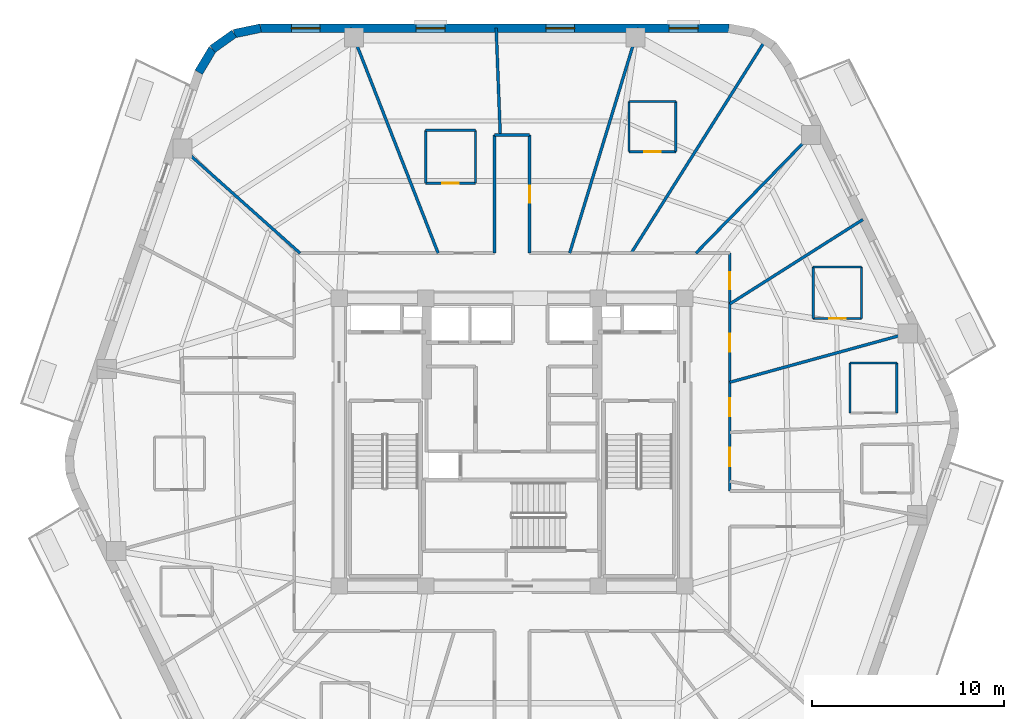
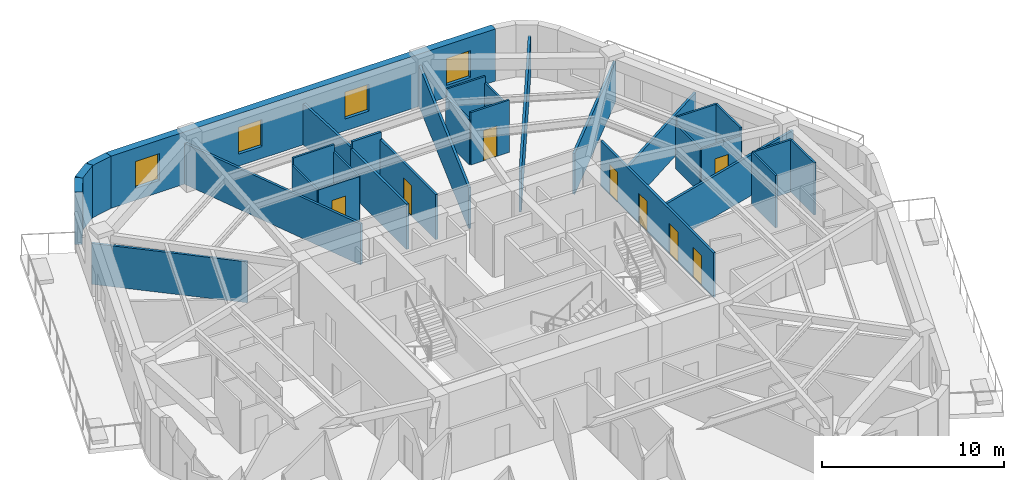
# One storey, part 6 of 10: 31 walls, 8 doors, 4 windows, 12 openings.
"""IFC4 building model written with IfcOpenShell, lengths in metres."""

from ifc_helpers import new_model, si_unit, direction, frame, frame_2d, origin, place, context, subcontext, project, spatial, rectangle, extrude, material, layer, layer_set, type_object, element, fill, save


model = new_model("IFC4")

# Units and contexts
model_context = context("Model", 3, precision=1e-05, world=origin(), true_north=direction((0.0, 1.0)))
body_context = subcontext(model_context, "Body", "Model", "MODEL_VIEW")
ifc_project = project(units=[si_unit("LENGTHUNIT", "METRE"), si_unit("AREAUNIT", "SQUARE_METRE"), si_unit("VOLUMEUNIT", "CUBIC_METRE"), si_unit("PLANEANGLEUNIT", "RADIAN"), si_unit("MASSUNIT", "GRAM", prefix="KILO")], contexts=[model_context])

# Site, building, storey
site_placement = place(None, origin())
site = spatial("IfcSite", under=ifc_project, at=site_placement, CompositionType="ELEMENT")
building_placement = place(site_placement, origin())
building = spatial("IfcBuilding", under=site, at=building_placement, Name="Kilnhurst Terrace Hotel", CompositionType="ELEMENT")
storey_placement = place(building_placement, frame((0.0, 0.0, 206.5)))
storey = spatial("IfcBuildingStorey", under=building, at=storey_placement, Name="L51", CompositionType="ELEMENT", Elevation=206.5)

# Walls
ifc_material_1 = material(Name="Precast concrete C40/50", Category="concrete")
ifc_layer_1 = layer(ifc_material_1, 0.449951171875, Name="Precast concrete C40/50")
ifc_layer_set_1 = layer_set([ifc_layer_1], Name="Precast concrete C40/50")
wall_type_1 = type_object("IfcWallType", Name="WL-BRK-450", PredefinedType="SOLIDWALL", material=ifc_layer_set_1)
wall_1_placement = place(storey_placement, frame((-13.1015625, 21.574951171875, 0.0), z_axis=(0.0, 0.0, 1.0), x_axis=(-0.978757421505, -0.205021730188, 0.0)))
element("IfcWall", 1, at=wall_1_placement, inside=storey, type_object=wall_type_1, Name="L51 Rounded Corner Brick Wall C5.1", PredefinedType="SOLIDWALL", context=body_context, shape_type="SweptSolid", body=[
    extrude(rectangle(XDim=1.40625, YDim=0.449951171875, at=frame_2d((0.703125, 0.0))), origin(), (0.0, 0.0, 1.0), 3.5),
])
wall_2_placement = place(storey_placement, frame((-14.47802734375, 21.28662109375, 0.0), z_axis=(0.0, 0.0, 1.0), x_axis=(-0.813888518617, -0.58102106611, 0.0)))
element("IfcWall", 2, at=wall_2_placement, inside=storey, type_object=wall_type_1, Name="L51 Rounded Corner Brick Wall C5.2", PredefinedType="SOLIDWALL", context=body_context, shape_type="SweptSolid", body=[
    extrude(rectangle(XDim=1.3828125, YDim=0.449951171875, at=frame_2d((0.69140625, 0.0))), origin(), (0.0, 0.0, 1.0), 3.5),
])
wall_3_placement = place(storey_placement, frame((-15.603515625, 20.483154296875, 0.0), z_axis=(0.0, 0.0, 1.0), x_axis=(-0.512222149036, -0.858852996756, 0.0)))
element("IfcWall", 3, at=wall_3_placement, inside=storey, type_object=wall_type_1, Name="L51 Rounded Corner Brick Wall C5.3", PredefinedType="SOLIDWALL", context=body_context, shape_type="SweptSolid", body=[
    extrude(rectangle(XDim=1.406494140625, YDim=0.449951171875, at=frame_2d((0.703125, 0.0))), origin(), (0.0, 0.0, 1.0), 3.5),
])

# Wall, openings, windows
wall_4_placement = place(storey_placement, frame((11.297607421875, 21.574951171875, 0.0), z_axis=(0.0, 0.0, 1.0), x_axis=(-1.0, 0.0, 0.0)))
wall_4 = element("IfcWall", 4, at=wall_4_placement, inside=storey, type_object=wall_type_1, Name="L51 Exterior Brick Facade Wall F4", PredefinedType="SOLIDWALL", context=body_context, shape_type="SweptSolid", body=[
    extrude(rectangle(XDim=24.399169921875, YDim=0.449951171875, at=frame_2d((12.19970703125, 0.0))), origin(), (0.0, 0.0, 1.0), 3.5),
])
opening_1_placement = place(wall_4_placement, frame((1.60400390625, 0.0, 0.800048828125)))
opening_1 = element("IfcOpeningElement", 5, at=opening_1_placement, cuts=wall_4, Name="Opening W-02", PredefinedType="OPENING", context=body_context, shape_type="SweptSolid", body=[
    extrude(rectangle(XDim=1.5, YDim=1.800048828125, at=frame_2d((0.75, 0.89990234375))), frame((0.0, 0.23486328125, 0.0), z_axis=(0.0, -1.0, 0.0), x_axis=(1.0, 0.0, 0.0)), (0.0, 0.0, 1.0), 0.469970703125),
])
opening_2_placement = place(wall_4_placement, frame((8.034912109375, 0.0, 0.800048828125)))
opening_2 = element("IfcOpeningElement", 6, at=opening_2_placement, cuts=wall_4, Name="Opening W-02", PredefinedType="OPENING", context=body_context, shape_type="SweptSolid", body=[
    extrude(rectangle(XDim=1.5, YDim=1.800048828125, at=frame_2d((0.75, 0.89990234375))), frame((0.0, 0.23486328125, 0.0), z_axis=(0.0, -1.0, 0.0), x_axis=(1.0, 0.0, 0.0)), (0.0, 0.0, 1.0), 0.469970703125),
])
opening_3_placement = place(wall_4_placement, frame((14.7880859375, 0.0, 0.800048828125)))
opening_3 = element("IfcOpeningElement", 7, at=opening_3_placement, cuts=wall_4, Name="Opening W-02", PredefinedType="OPENING", context=body_context, shape_type="SweptSolid", body=[
    extrude(rectangle(XDim=1.5, YDim=1.800048828125, at=frame_2d((0.75, 0.89990234375))), frame((0.0, 0.23486328125, 0.0), z_axis=(0.0, -1.0, 0.0), x_axis=(1.0, 0.0, 0.0)), (0.0, 0.0, 1.0), 0.469970703125),
])
opening_4_placement = place(wall_4_placement, frame((21.2958984375, 0.0, 0.800048828125)))
opening_4 = element("IfcOpeningElement", 8, at=opening_4_placement, cuts=wall_4, Name="Opening W-02", PredefinedType="OPENING", context=body_context, shape_type="SweptSolid", body=[
    extrude(rectangle(XDim=1.5, YDim=1.800048828125, at=frame_2d((0.75, 0.89990234375))), frame((0.0, 0.23486328125, 0.0), z_axis=(0.0, -1.0, 0.0), x_axis=(1.0, 0.0, 0.0)), (0.0, 0.0, 1.0), 0.469970703125),
])
ifc_material_2 = material(Name="Thermally Broken Bronze Aluminium Alloy 6063-T6 and Low-E Glass", Category="aluminium")
window_type = type_object("IfcWindowType", Name="WIN-1500X1800", PartitioningType="SINGLE_PANEL", PredefinedType="WINDOW", material=ifc_material_2)
window_1_placement = place(opening_1_placement, origin())
window_1 = element("IfcWindow", 9, at=window_1_placement, inside=storey, type_object=window_type, Name="L51 Deep-Set Masonry Window F4.1", OverallHeight=1.800048828125, OverallWidth=1.5, PartitioningType="SINGLE_PANEL", PredefinedType="WINDOW", context=body_context, shape_type="SweptSolid", body=[
    extrude(rectangle(XDim=1.5, YDim=1.800048828125, at=frame_2d((0.75, 0.89990234375))), frame((0.0, 0.030029296875, 0.0), z_axis=(0.0, -1.0, 0.0), x_axis=(1.0, 0.0, 0.0)), (0.0, 0.0, 1.0), 0.06005859375),
])
fill(opening_1, window_1)
window_2_placement = place(opening_2_placement, origin())
window_2 = element("IfcWindow", 10, at=window_2_placement, inside=storey, type_object=window_type, Name="L51 Deep-Set Masonry Window F4.2", OverallHeight=1.800048828125, OverallWidth=1.5, PartitioningType="SINGLE_PANEL", PredefinedType="WINDOW", context=body_context, shape_type="SweptSolid", body=[
    extrude(rectangle(XDim=1.5, YDim=1.800048828125, at=frame_2d((0.75, 0.89990234375))), frame((0.0, 0.030029296875, 0.0), z_axis=(0.0, -1.0, 0.0), x_axis=(1.0, 0.0, 0.0)), (0.0, 0.0, 1.0), 0.06005859375),
])
fill(opening_2, window_2)
window_3_placement = place(opening_3_placement, origin())
window_3 = element("IfcWindow", 11, at=window_3_placement, inside=storey, type_object=window_type, Name="L51 Deep-Set Masonry Window F4.3", OverallHeight=1.800048828125, OverallWidth=1.5, PartitioningType="SINGLE_PANEL", PredefinedType="WINDOW", context=body_context, shape_type="SweptSolid", body=[
    extrude(rectangle(XDim=1.5, YDim=1.800048828125, at=frame_2d((0.75, 0.89990234375))), frame((0.0, 0.030029296875, 0.0), z_axis=(0.0, -1.0, 0.0), x_axis=(1.0, 0.0, 0.0)), (0.0, 0.0, 1.0), 0.06005859375),
])
fill(opening_3, window_3)
window_4_placement = place(opening_4_placement, origin())
window_4 = element("IfcWindow", 12, at=window_4_placement, inside=storey, type_object=window_type, Name="L51 Deep-Set Masonry Window F4.4", OverallHeight=1.800048828125, OverallWidth=1.5, PartitioningType="SINGLE_PANEL", PredefinedType="WINDOW", context=body_context, shape_type="SweptSolid", body=[
    extrude(rectangle(XDim=1.5, YDim=1.800048828125, at=frame_2d((0.75, 0.89990234375))), frame((0.0, 0.030029296875, 0.0), z_axis=(0.0, -1.0, 0.0), x_axis=(1.0, 0.0, 0.0)), (0.0, 0.0, 1.0), 0.06005859375),
])
fill(opening_4, window_4)

# Walls
ifc_material_3 = material(Name="Acoustic Double-Gypsum Corridor Partition Assembly")
ifc_layer_2 = layer(ifc_material_3, 0.14990234375, Name="Acoustic Double-Gypsum Corridor Partition Assembly")
ifc_layer_set_2 = layer_set([ifc_layer_2], Name="Acoustic Double-Gypsum Corridor Partition Assembly")
wall_type_2 = type_object("IfcWallType", Name="WL-COR-150", PredefinedType="PARTITIONING", material=ifc_layer_set_2)
wall_5_placement = place(storey_placement, frame((-0.919921875, 9.85009765625, 0.0), z_axis=(0.0, 0.0, 1.0), x_axis=(0.0, 1.0, 0.0)))
element("IfcWall", 13, at=wall_5_placement, inside=storey, type_object=wall_type_2, Name="L51 Interior Wall WL-L51-COR-07", PredefinedType="PARTITIONING", context=body_context, shape_type="SweptSolid", body=[
    extrude(rectangle(XDim=6.14990234375, YDim=0.14990234375, at=frame_2d((3.074951171875, 0.0))), origin(), (0.0, 0.0, 1.0), 3.026611328125),
])
wall_6_placement = place(storey_placement, frame((-0.919921875, 16.0, 0.0), z_axis=(0.0, 0.0, 1.0), x_axis=(1.0, 0.0, 0.0)))
element("IfcWall", 14, at=wall_6_placement, inside=storey, type_object=wall_type_2, Name="L51 Interior Wall WL-L51-COR-08", PredefinedType="PARTITIONING", context=body_context, shape_type="SweptSolid", body=[
    extrude(rectangle(XDim=1.83984375, YDim=0.14990234375, at=frame_2d((0.919921875, 0.0))), origin(), (0.0, 0.0, 1.0), 3.5),
])

# Wall, opening, door
wall_7_placement = place(storey_placement, frame((0.919921875, 16.0, 0.0), z_axis=(0.0, 0.0, 1.0), x_axis=(0.0, -1.0, 0.0)))
wall_7 = element("IfcWall", 15, at=wall_7_placement, inside=storey, type_object=wall_type_2, Name="L51 Interior Wall WL-L51-COR-09", PredefinedType="PARTITIONING", context=body_context, shape_type="SweptSolid", body=[
    extrude(rectangle(XDim=6.14990234375, YDim=0.14990234375, at=frame_2d((3.074951171875, 0.0))), origin(), (0.0, 0.0, 1.0), 3.026611328125),
])
opening_5_placement = place(wall_7_placement, frame((2.625, 0.0, 0.0)))
opening_5 = element("IfcOpeningElement", 16, at=opening_5_placement, cuts=wall_7, Name="Opening D-60C", PredefinedType="OPENING", context=body_context, shape_type="SweptSolid", body=[
    extrude(rectangle(XDim=0.89990234375, YDim=2.030029296875, at=frame_2d((0.449951171875, 1.01513671875))), frame((0.0, 0.0849609375, 0.0), z_axis=(0.0, -1.0, 0.0), x_axis=(1.0, 0.0, 0.0)), (0.0, 0.0, 1.0), 0.169921875),
])
ifc_material_4 = material(Name="Painted Solid-Core Service Fire Door")
door_type_1 = type_object("IfcDoorType", Name="DR-FD60-900", OperationType="NOTDEFINED", PredefinedType="DOOR", material=ifc_material_4)
door_1_placement = place(opening_5_placement, origin())
door_1 = element("IfcDoor", 17, at=door_1_placement, inside=storey, type_object=door_type_1, Name="L51 Botanical Reading Lounge Door 6", OperationType="SINGLE_SWING_RIGHT", OverallHeight=2.030029296875, OverallWidth=0.89990234375, PredefinedType="DOOR", context=body_context, shape_type="SweptSolid", body=[
    extrude(rectangle(XDim=0.89990234375, YDim=2.030029296875, at=frame_2d((0.449951171875, 1.01513671875))), frame((0.0, 0.02490234375, 0.0), z_axis=(0.0, -1.0, 0.0), x_axis=(1.0, 0.0, 0.0)), (0.0, 0.0, 1.0), 0.050048828125),
])
fill(opening_5, door_1)

# Wall, openings, doors
wall_8_placement = place(storey_placement, frame((11.35009765625, 9.85009765625, 0.0), z_axis=(0.0, 0.0, 1.0), x_axis=(0.0, -1.0, 0.0)))
wall_8 = element("IfcWall", 18, at=wall_8_placement, inside=storey, type_object=wall_type_2, Name="L51 Interior Wall WL-L51-COR-11", PredefinedType="PARTITIONING", context=body_context, shape_type="SweptSolid", body=[
    extrude(rectangle(XDim=12.400146484375, YDim=0.14990234375, at=frame_2d((6.2001953125, 0.0))), origin(), (0.0, 0.0, 1.0), 2.989990234375),
])
opening_6_placement = place(wall_8_placement, frame((7.554931640625, 0.0, 0.0)))
opening_6 = element("IfcOpeningElement", 19, at=opening_6_placement, cuts=wall_8, Name="Opening D-60B", PredefinedType="OPENING", context=body_context, shape_type="SweptSolid", body=[
    extrude(rectangle(XDim=0.949951171875, YDim=2.030029296875, at=frame_2d((0.47509765625, 1.01513671875))), frame((0.0, 0.0849609375, 0.0), z_axis=(0.0, -1.0, 0.0), x_axis=(1.0, 0.0, 0.0)), (0.0, 0.0, 1.0), 0.169921875),
])
opening_7_placement = place(wall_8_placement, frame((4.19091796875, 0.0, 0.0)))
opening_7 = element("IfcOpeningElement", 20, at=opening_7_placement, cuts=wall_8, Name="Opening D-60B", PredefinedType="OPENING", context=body_context, shape_type="SweptSolid", body=[
    extrude(rectangle(XDim=0.949951171875, YDim=2.030029296875, at=frame_2d((0.47509765625, 1.01513671875))), frame((0.0, 0.0849609375, 0.0), z_axis=(0.0, -1.0, 0.0), x_axis=(1.0, 0.0, 0.0)), (0.0, 0.0, 1.0), 0.169921875),
])
opening_8_placement = place(wall_8_placement, frame((0.993896484375, 0.0, 0.0)))
opening_8 = element("IfcOpeningElement", 21, at=opening_8_placement, cuts=wall_8, Name="Opening D-60C", PredefinedType="OPENING", context=body_context, shape_type="SweptSolid", body=[
    extrude(rectangle(XDim=0.89990234375, YDim=2.030029296875, at=frame_2d((0.449951171875, 1.01513671875))), frame((0.0, 0.0849609375, 0.0), z_axis=(0.0, -1.0, 0.0), x_axis=(1.0, 0.0, 0.0)), (0.0, 0.0, 1.0), 0.169921875),
])
opening_9_placement = place(wall_8_placement, frame((10.14404296875, 0.0, 0.0)))
opening_9 = element("IfcOpeningElement", 22, at=opening_9_placement, cuts=wall_8, Name="Opening D-60B", PredefinedType="OPENING", context=body_context, shape_type="SweptSolid", body=[
    extrude(rectangle(XDim=0.949951171875, YDim=2.030029296875, at=frame_2d((0.47509765625, 1.01513671875))), frame((0.0, 0.0849609375, 0.0), z_axis=(0.0, -1.0, 0.0), x_axis=(1.0, 0.0, 0.0)), (0.0, 0.0, 1.0), 0.169921875),
])
door_2_placement = place(opening_8_placement, origin())
door_2 = element("IfcDoor", 23, at=door_2_placement, inside=storey, type_object=door_type_1, Name="L51 Private Study Salon Door 3", OperationType="SINGLE_SWING_LEFT", OverallHeight=2.030029296875, OverallWidth=0.89990234375, PredefinedType="DOOR", context=body_context, shape_type="SweptSolid", body=[
    extrude(rectangle(XDim=0.89990234375, YDim=2.030029296875, at=frame_2d((0.449951171875, 1.01513671875))), frame((0.0, 0.02490234375, 0.0), z_axis=(0.0, -1.0, 0.0), x_axis=(1.0, 0.0, 0.0)), (0.0, 0.0, 1.0), 0.050048828125),
])
fill(opening_8, door_2)
ifc_material_5 = material(Name="Acoustic Walnut Veneer Solid-Core Fire Door")
door_type_2 = type_object("IfcDoorType", Name="DR-FD60-950", OperationType="NOTDEFINED", PredefinedType="DOOR", material=ifc_material_5)
door_3_placement = place(opening_6_placement, origin())
door_3 = element("IfcDoor", 24, at=door_3_placement, inside=storey, type_object=door_type_2, Name="L51 Guest Room Entry Door 1", OperationType="SINGLE_SWING_LEFT", OverallHeight=2.030029296875, OverallWidth=0.949951171875, PredefinedType="DOOR", context=body_context, shape_type="SweptSolid", body=[
    extrude(rectangle(XDim=0.949951171875, YDim=2.030029296875, at=frame_2d((0.47509765625, 1.01513671875))), frame((0.0, 0.02490234375, 0.0), z_axis=(0.0, -1.0, 0.0), x_axis=(1.0, 0.0, 0.0)), (0.0, 0.0, 1.0), 0.050048828125),
])
fill(opening_6, door_3)
door_4_placement = place(opening_7_placement, origin())
door_4 = element("IfcDoor", 25, at=door_4_placement, inside=storey, type_object=door_type_2, Name="L51 Guest Room Entry Door 2", OperationType="SINGLE_SWING_RIGHT", OverallHeight=2.030029296875, OverallWidth=0.949951171875, PredefinedType="DOOR", context=body_context, shape_type="SweptSolid", body=[
    extrude(rectangle(XDim=0.949951171875, YDim=2.030029296875, at=frame_2d((0.47509765625, 1.01513671875))), frame((0.0, 0.02490234375, 0.0), z_axis=(0.0, -1.0, 0.0), x_axis=(1.0, 0.0, 0.0)), (0.0, 0.0, 1.0), 0.050048828125),
])
fill(opening_7, door_4)
door_5_placement = place(opening_9_placement, origin())
door_5 = element("IfcDoor", 26, at=door_5_placement, inside=storey, type_object=door_type_2, Name="L51 Guest Room Entry Door 20", OperationType="SINGLE_SWING_RIGHT", OverallHeight=2.030029296875, OverallWidth=0.949951171875, PredefinedType="DOOR", context=body_context, shape_type="SweptSolid", body=[
    extrude(rectangle(XDim=0.949951171875, YDim=2.030029296875, at=frame_2d((0.47509765625, 1.01513671875))), frame((0.0, 0.02490234375, 0.0), z_axis=(0.0, -1.0, 0.0), x_axis=(1.0, 0.0, 0.0)), (0.0, 0.0, 1.0), 0.050048828125),
])
fill(opening_9, door_5)

# Walls
ifc_material_6 = material(Name="STC-58 Acoustic Twin-Frame Guestroom Demising Partition")
ifc_layer_3 = layer(ifc_material_6, 0.14990234375, Name="STC-58 Acoustic Twin-Frame Guestroom Demising Partition")
ifc_layer_set_3 = layer_set([ifc_layer_3], Name="STC-58 Acoustic Twin-Frame Guestroom Demising Partition")
wall_type_3 = type_object("IfcWallType", Name="WL-DEM-150", PredefinedType="PARTITIONING", material=ifc_layer_set_3)
wall_9_placement = place(storey_placement, frame((11.35009765625, 3.12060546875, 0.0), z_axis=(0.0, 0.0, 1.0), x_axis=(0.964212793822, 0.265129568758, 0.0)))
element("IfcWall", 27, at=wall_9_placement, inside=storey, type_object=wall_type_3, Name="L51 Interior Wall WL-L51-DEM-COL01-02-1", PredefinedType="PARTITIONING", context=body_context, shape_type="SweptSolid", body=[
    extrude(rectangle(XDim=10.119873046875, YDim=0.14990234375, at=frame_2d((5.06005859375, 0.0))), origin(), (0.0, 0.0, 1.0), 2.739990234375),
])
wall_10_placement = place(storey_placement, frame((11.35009765625, 7.2021484375, 0.0), z_axis=(0.0, 0.0, 1.0), x_axis=(0.844364592263, 0.535769013039, 0.0)))
element("IfcWall", 28, at=wall_10_placement, inside=storey, type_object=wall_type_3, Name="L51 Interior Wall WL-L51-DEM-MID01-03-1", PredefinedType="PARTITIONING", context=body_context, shape_type="SweptSolid", body=[
    extrude(rectangle(XDim=8.212646484375, YDim=0.14990234375, at=frame_2d((4.1064453125, 0.0))), origin(), (0.0, 0.0, 1.0), 2.739990234375),
])
wall_11_placement = place(storey_placement, frame((9.587890625, 9.85009765625, 0.0), z_axis=(0.0, 0.0, 1.0), x_axis=(0.697519469595, 0.716565830567, 0.0)))
element("IfcWall", 29, at=wall_11_placement, inside=storey, type_object=wall_type_3, Name="L51 Interior Wall WL-L51-DEM-COL02-04-1", PredefinedType="PARTITIONING", context=body_context, shape_type="SweptSolid", body=[
    extrude(rectangle(XDim=9.12646484375, YDim=0.14990234375, at=frame_2d((4.563232421875, 0.0))), origin(), (0.0, 0.0, 1.0), 2.739990234375),
])
wall_12_placement = place(storey_placement, frame((6.21044921875, 9.85009765625, 0.0), z_axis=(0.0, 0.0, 1.0), x_axis=(0.533335553786, 0.84590376939, 0.0)))
element("IfcWall", 30, at=wall_12_placement, inside=storey, type_object=wall_type_3, Name="L51 Interior Wall WL-L51-DEM-MID02-05-1", PredefinedType="PARTITIONING", context=body_context, shape_type="SweptSolid", body=[
    extrude(rectangle(XDim=12.94091796875, YDim=0.14990234375, at=frame_2d((6.470458984375, 0.0))), origin(), (0.0, 0.0, 1.0), 2.739990234375),
])
wall_13_placement = place(storey_placement, frame((3.00439453125, 9.85009765625, 0.0), z_axis=(0.0, 0.0, 1.0), x_axis=(0.291775760688, 0.956486751333, 0.0)))
element("IfcWall", 31, at=wall_13_placement, inside=storey, type_object=wall_type_3, Name="L51 Interior Wall WL-L51-DEM-COL03-06-1", PredefinedType="PARTITIONING", context=body_context, shape_type="SweptSolid", body=[
    extrude(rectangle(XDim=12.25830078125, YDim=0.14990234375, at=frame_2d((6.129150390625, 0.0))), origin(), (0.0, 0.0, 1.0), 2.739990234375),
])
wall_14_placement = place(storey_placement, frame((-0.611572265625, 16.0, 0.0), z_axis=(0.0, 0.0, 1.0), x_axis=(-0.038202877739, 0.999270003619, 0.0)))
element("IfcWall", 32, at=wall_14_placement, inside=storey, type_object=wall_type_3, Name="L51 Interior Wall WL-L51-DEM-MID03-07-1", PredefinedType="PARTITIONING", context=body_context, shape_type="SweptSolid", body=[
    extrude(rectangle(XDim=5.5791015625, YDim=0.14990234375, at=frame_2d((2.78955078125, 0.0))), origin(), (0.0, 0.0, 1.0), 2.739990234375),
])
wall_15_placement = place(storey_placement, frame((-3.848388671875, 9.85009765625, 0.0), z_axis=(0.0, 0.0, 1.0), x_axis=(-0.363921778212, 0.931429513889, 0.0)))
element("IfcWall", 33, at=wall_15_placement, inside=storey, type_object=wall_type_3, Name="L51 Interior Wall WL-L51-DEM-COL04-08-1", PredefinedType="PARTITIONING", context=body_context, shape_type="SweptSolid", body=[
    extrude(rectangle(XDim=12.588134765625, YDim=0.14990234375, at=frame_2d((6.2939453125, 0.0))), origin(), (0.0, 0.0, 1.0), 2.739990234375),
])
wall_16_placement = place(storey_placement, frame((-11.04833984375, 9.85009765625, 0.0), z_axis=(0.0, 0.0, 1.0), x_axis=(-0.746444434655, 0.665447748492, 0.0)))
element("IfcWall", 34, at=wall_16_placement, inside=storey, type_object=wall_type_3, Name="L51 Interior Wall WL-L51-DEM-COL05-09-1", PredefinedType="PARTITIONING", context=body_context, shape_type="SweptSolid", body=[
    extrude(rectangle(XDim=8.732177734375, YDim=0.14990234375, at=frame_2d((4.3662109375, 0.0))), origin(), (0.0, 0.0, 1.0), 2.739990234375),
])
ifc_material_7 = material(Name="120 mm Moisture-Resistant Tile-Backed Bathroom Partition")
ifc_layer_4 = layer(ifc_material_7, 0.1201171875, Name="120 mm Moisture-Resistant Tile-Backed Bathroom Partition")
ifc_layer_set_4 = layer_set([ifc_layer_4], Name="120 mm Moisture-Resistant Tile-Backed Bathroom Partition")
wall_type_4 = type_object("IfcWallType", Name="WL-PART-120", PredefinedType="PARTITIONING", material=ifc_layer_set_4)
wall_17_placement = place(storey_placement, frame((20.055908203125, 1.52001953125, 0.0), z_axis=(0.0, 0.0, 1.0), x_axis=(0.0, 1.0, 0.0)))
element("IfcWall", 35, at=wall_17_placement, inside=storey, type_object=wall_type_4, Name="L51 Interior Wall WL-L51-BTH-01-2", PredefinedType="PARTITIONING", context=body_context, shape_type="SweptSolid", body=[
    extrude(rectangle(XDim=2.60986328125, YDim=0.1201171875, at=frame_2d((1.304931640625, 0.0))), origin(), (0.0, 0.0, 1.0), 3.5),
])
wall_18_placement = place(storey_placement, frame((20.055908203125, 4.1298828125, 0.0), z_axis=(0.0, 0.0, 1.0), x_axis=(-1.0, 0.0, 0.0)))
element("IfcWall", 36, at=wall_18_placement, inside=storey, type_object=wall_type_4, Name="L51 Interior Wall WL-L51-BTH-01-3", PredefinedType="PARTITIONING", context=body_context, shape_type="SweptSolid", body=[
    extrude(rectangle(XDim=2.43994140625, YDim=0.1201171875, at=frame_2d((1.219970703125, 0.0))), origin(), (0.0, 0.0, 1.0), 3.5),
])
wall_19_placement = place(storey_placement, frame((17.615966796875, 4.1298828125, 0.0), z_axis=(0.0, 0.0, 1.0), x_axis=(0.0, -1.0, 0.0)))
element("IfcWall", 37, at=wall_19_placement, inside=storey, type_object=wall_type_4, Name="L51 Interior Wall WL-L51-BTH-01-4", PredefinedType="PARTITIONING", context=body_context, shape_type="SweptSolid", body=[
    extrude(rectangle(XDim=2.60986328125, YDim=0.1201171875, at=frame_2d((1.304931640625, 0.0))), origin(), (0.0, 0.0, 1.0), 3.5),
])

# Wall, opening, door
wall_20_placement = place(storey_placement, frame((15.696044921875, 6.445068359375, 0.0), z_axis=(0.0, 0.0, 1.0), x_axis=(1.0, 0.0, 0.0)))
wall_20 = element("IfcWall", 38, at=wall_20_placement, inside=storey, type_object=wall_type_4, Name="L51 Interior Wall WL-L51-BTH-02-1", PredefinedType="PARTITIONING", context=body_context, shape_type="SweptSolid", body=[
    extrude(rectangle(XDim=2.52001953125, YDim=0.1201171875, at=frame_2d((1.260009765625, 0.0))), origin(), (0.0, 0.0, 1.0), 2.989990234375),
])
opening_10_placement = place(wall_20_placement, frame((0.8349609375, 0.0, 0.0)))
opening_10 = element("IfcOpeningElement", 39, at=opening_10_placement, cuts=wall_20, Name="Opening D-08A", PredefinedType="OPENING", context=body_context, shape_type="SweptSolid", body=[
    extrude(rectangle(XDim=0.85009765625, YDim=2.030029296875, at=frame_2d((0.425048828125, 1.01513671875))), frame((0.0, 0.070068359375, 0.0), z_axis=(0.0, -1.0, 0.0), x_axis=(1.0, 0.0, 0.0)), (0.0, 0.0, 1.0), 0.14013671875),
])
ifc_material_8 = material(Name="Moisture-Resistant Lacquered En-suite Bathroom Door")
door_type_3 = type_object("IfcDoorType", Name="DR-INT-850", OperationType="NOTDEFINED", PredefinedType="DOOR", material=ifc_material_8)
door_6_placement = place(opening_10_placement, origin())
door_6 = element("IfcDoor", 40, at=door_6_placement, inside=storey, type_object=door_type_3, Name="L51 En-suite Bathroom Door 2", OperationType="SINGLE_SWING_LEFT", OverallHeight=2.030029296875, OverallWidth=0.85009765625, PredefinedType="DOOR", context=body_context, shape_type="SweptSolid", body=[
    extrude(rectangle(XDim=0.85009765625, YDim=2.030029296875, at=frame_2d((0.425048828125, 1.01513671875))), frame((0.0, 0.02490234375, 0.0), z_axis=(0.0, -1.0, 0.0), x_axis=(1.0, 0.0, 0.0)), (0.0, 0.0, 1.0), 0.050048828125),
])
fill(opening_10, door_6)

# Walls
wall_21_placement = place(storey_placement, frame((18.216064453125, 6.445068359375, 0.0), z_axis=(0.0, 0.0, 1.0), x_axis=(0.0, 1.0, 0.0)))
element("IfcWall", 41, at=wall_21_placement, inside=storey, type_object=wall_type_4, Name="L51 Interior Wall WL-L51-BTH-02-2", PredefinedType="PARTITIONING", context=body_context, shape_type="SweptSolid", body=[
    extrude(rectangle(XDim=2.679931640625, YDim=0.1201171875, at=frame_2d((1.33984375, 0.0))), origin(), (0.0, 0.0, 1.0), 3.5),
])
wall_22_placement = place(storey_placement, frame((18.216064453125, 9.125, 0.0), z_axis=(0.0, 0.0, 1.0), x_axis=(-1.0, 0.0, 0.0)))
element("IfcWall", 42, at=wall_22_placement, inside=storey, type_object=wall_type_4, Name="L51 Interior Wall WL-L51-BTH-02-3", PredefinedType="PARTITIONING", context=body_context, shape_type="SweptSolid", body=[
    extrude(rectangle(XDim=2.52001953125, YDim=0.1201171875, at=frame_2d((1.260009765625, 0.0))), origin(), (0.0, 0.0, 1.0), 3.5),
])
wall_23_placement = place(storey_placement, frame((15.696044921875, 9.125, 0.0), z_axis=(0.0, 0.0, 1.0), x_axis=(0.0, -1.0, 0.0)))
element("IfcWall", 43, at=wall_23_placement, inside=storey, type_object=wall_type_4, Name="L51 Interior Wall WL-L51-BTH-02-4", PredefinedType="PARTITIONING", context=body_context, shape_type="SweptSolid", body=[
    extrude(rectangle(XDim=2.679931640625, YDim=0.1201171875, at=frame_2d((1.33984375, 0.0))), origin(), (0.0, 0.0, 1.0), 2.989990234375),
])

# Wall, opening, door
wall_24_placement = place(storey_placement, frame((6.096923828125, 15.139892578125, 0.0), z_axis=(0.0, 0.0, 1.0), x_axis=(1.0, 0.0, 0.0)))
wall_24 = element("IfcWall", 44, at=wall_24_placement, inside=storey, type_object=wall_type_4, Name="L51 Interior Wall WL-L51-BTH-05-1", PredefinedType="PARTITIONING", context=body_context, shape_type="SweptSolid", body=[
    extrude(rectangle(XDim=2.440185546875, YDim=0.1201171875, at=frame_2d((1.22021484375, 0.0))), origin(), (0.0, 0.0, 1.0), 3.5),
])
opening_11_placement = place(wall_24_placement, frame((0.794921875, 0.0, 0.0)))
opening_11 = element("IfcOpeningElement", 45, at=opening_11_placement, cuts=wall_24, Name="Opening D-08A", PredefinedType="OPENING", context=body_context, shape_type="SweptSolid", body=[
    extrude(rectangle(XDim=0.85009765625, YDim=2.030029296875, at=frame_2d((0.425048828125, 1.01513671875))), frame((0.0, 0.070068359375, 0.0), z_axis=(0.0, -1.0, 0.0), x_axis=(1.0, 0.0, 0.0)), (0.0, 0.0, 1.0), 0.14013671875),
])
door_7_placement = place(opening_11_placement, origin())
door_7 = element("IfcDoor", 46, at=door_7_placement, inside=storey, type_object=door_type_3, Name="L51 En-suite Bathroom Door 5", OperationType="SINGLE_SWING_RIGHT", OverallHeight=2.030029296875, OverallWidth=0.85009765625, PredefinedType="DOOR", context=body_context, shape_type="SweptSolid", body=[
    extrude(rectangle(XDim=0.85009765625, YDim=2.030029296875, at=frame_2d((0.425048828125, 1.01513671875))), frame((0.0, 0.02490234375, 0.0), z_axis=(0.0, -1.0, 0.0), x_axis=(1.0, 0.0, 0.0)), (0.0, 0.0, 1.0), 0.050048828125),
])
fill(opening_11, door_7)

# Walls
wall_25_placement = place(storey_placement, frame((8.537109375, 15.139892578125, 0.0), z_axis=(0.0, 0.0, 1.0), x_axis=(0.0, 1.0, 0.0)))
element("IfcWall", 47, at=wall_25_placement, inside=storey, type_object=wall_type_4, Name="L51 Interior Wall WL-L51-BTH-05-2", PredefinedType="PARTITIONING", context=body_context, shape_type="SweptSolid", body=[
    extrude(rectangle(XDim=2.610107421875, YDim=0.1201171875, at=frame_2d((1.30517578125, 0.0))), origin(), (0.0, 0.0, 1.0), 3.072509765625),
])
wall_26_placement = place(storey_placement, frame((8.537109375, 17.75, 0.0), z_axis=(0.0, 0.0, 1.0), x_axis=(-1.0, 0.0, 0.0)))
element("IfcWall", 48, at=wall_26_placement, inside=storey, type_object=wall_type_4, Name="L51 Interior Wall WL-L51-BTH-05-3", PredefinedType="PARTITIONING", context=body_context, shape_type="SweptSolid", body=[
    extrude(rectangle(XDim=2.440185546875, YDim=0.1201171875, at=frame_2d((1.22021484375, 0.0))), origin(), (0.0, 0.0, 1.0), 3.5),
])
wall_27_placement = place(storey_placement, frame((6.096923828125, 17.75, 0.0), z_axis=(0.0, 0.0, 1.0), x_axis=(0.0, -1.0, 0.0)))
element("IfcWall", 49, at=wall_27_placement, inside=storey, type_object=wall_type_4, Name="L51 Interior Wall WL-L51-BTH-05-4", PredefinedType="PARTITIONING", context=body_context, shape_type="SweptSolid", body=[
    extrude(rectangle(XDim=2.610107421875, YDim=0.1201171875, at=frame_2d((1.30517578125, 0.0))), origin(), (0.0, 0.0, 1.0), 2.989990234375),
])

# Wall, opening, door
wall_28_placement = place(storey_placement, frame((-4.498046875, 13.5, 0.0), z_axis=(0.0, 0.0, 1.0), x_axis=(1.0, 0.0, 0.0)))
wall_28 = element("IfcWall", 50, at=wall_28_placement, inside=storey, type_object=wall_type_4, Name="L51 Interior Wall WL-L51-BTH-07-1", PredefinedType="PARTITIONING", context=body_context, shape_type="SweptSolid", body=[
    extrude(rectangle(XDim=2.60009765625, YDim=0.1201171875, at=frame_2d((1.300048828125, 0.0))), origin(), (0.0, 0.0, 1.0), 3.026611328125),
])
opening_12_placement = place(wall_28_placement, frame((0.875, 0.0, 0.0)))
opening_12 = element("IfcOpeningElement", 51, at=opening_12_placement, cuts=wall_28, Name="Opening D-08A", PredefinedType="OPENING", context=body_context, shape_type="SweptSolid", body=[
    extrude(rectangle(XDim=0.85009765625, YDim=2.030029296875, at=frame_2d((0.425048828125, 1.01513671875))), frame((0.0, 0.070068359375, 0.0), z_axis=(0.0, -1.0, 0.0), x_axis=(1.0, 0.0, 0.0)), (0.0, 0.0, 1.0), 0.14013671875),
])
door_8_placement = place(opening_12_placement, origin())
door_8 = element("IfcDoor", 52, at=door_8_placement, inside=storey, type_object=door_type_3, Name="L51 En-suite Bathroom Door 7", OperationType="SINGLE_SWING_RIGHT", OverallHeight=2.030029296875, OverallWidth=0.85009765625, PredefinedType="DOOR", context=body_context, shape_type="SweptSolid", body=[
    extrude(rectangle(XDim=0.85009765625, YDim=2.030029296875, at=frame_2d((0.425048828125, 1.01513671875))), frame((0.0, 0.02490234375, 0.0), z_axis=(0.0, -1.0, 0.0), x_axis=(1.0, 0.0, 0.0)), (0.0, 0.0, 1.0), 0.050048828125),
])
fill(opening_12, door_8)

# Walls
wall_29_placement = place(storey_placement, frame((-1.89794921875, 13.5, 0.0), z_axis=(0.0, 0.0, 1.0), x_axis=(0.0, 1.0, 0.0)))
element("IfcWall", 53, at=wall_29_placement, inside=storey, type_object=wall_type_4, Name="L51 Interior Wall WL-L51-BTH-07-2", PredefinedType="PARTITIONING", context=body_context, shape_type="SweptSolid", body=[
    extrude(rectangle(XDim=2.75, YDim=0.1201171875, at=frame_2d((1.375, 0.0))), origin(), (0.0, 0.0, 1.0), 3.026611328125),
])
wall_30_placement = place(storey_placement, frame((-1.89794921875, 16.25, 0.0), z_axis=(0.0, 0.0, 1.0), x_axis=(-1.0, 0.0, 0.0)))
element("IfcWall", 54, at=wall_30_placement, inside=storey, type_object=wall_type_4, Name="L51 Interior Wall WL-L51-BTH-07-3", PredefinedType="PARTITIONING", context=body_context, shape_type="SweptSolid", body=[
    extrude(rectangle(XDim=2.60009765625, YDim=0.1201171875, at=frame_2d((1.300048828125, 0.0))), origin(), (0.0, 0.0, 1.0), 3.5),
])
wall_31_placement = place(storey_placement, frame((-4.498046875, 16.25, 0.0), z_axis=(0.0, 0.0, 1.0), x_axis=(0.0, -1.0, 0.0)))
element("IfcWall", 55, at=wall_31_placement, inside=storey, type_object=wall_type_4, Name="L51 Interior Wall WL-L51-BTH-07-4", PredefinedType="PARTITIONING", context=body_context, shape_type="SweptSolid", body=[
    extrude(rectangle(XDim=2.75, YDim=0.1201171875, at=frame_2d((1.375, 0.0))), origin(), (0.0, 0.0, 1.0), 3.026611328125),
])

save(model, "model.ifc")
